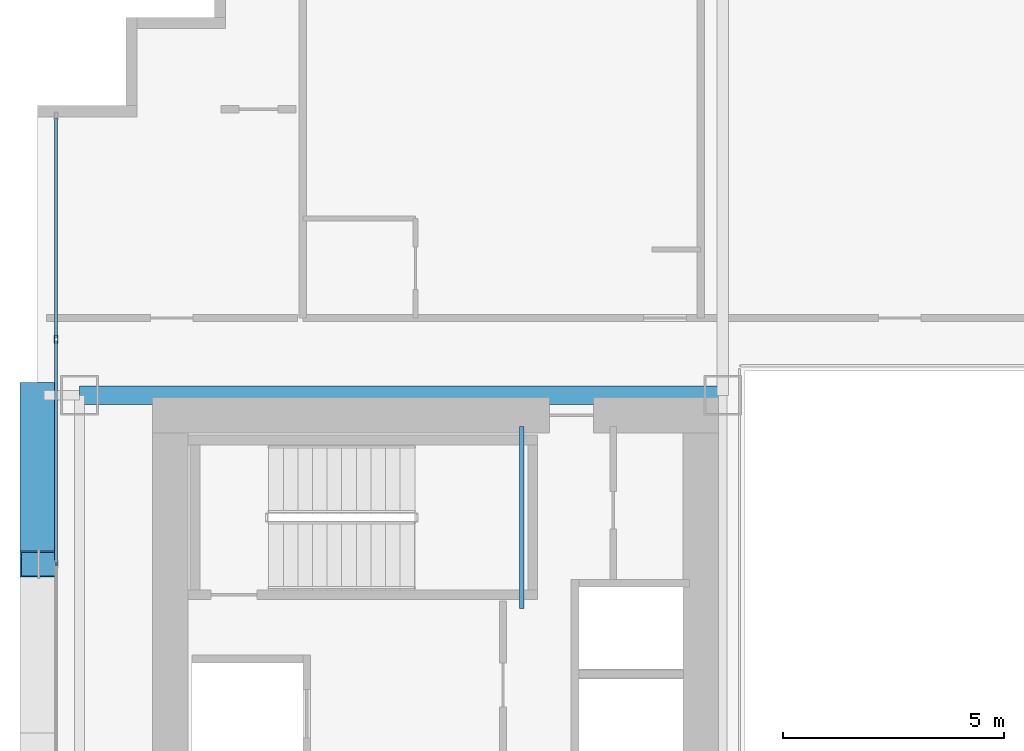
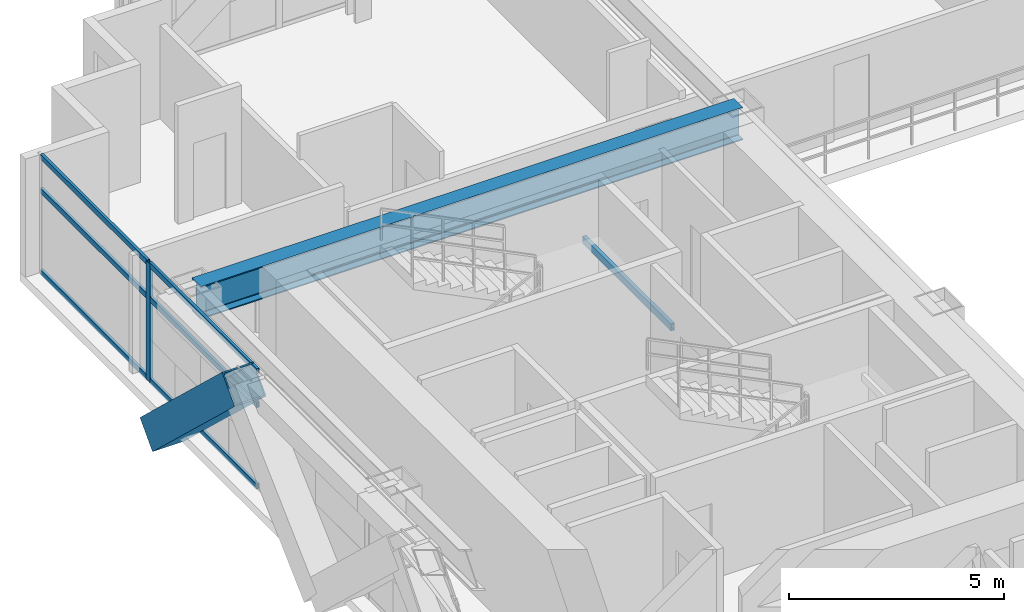
# One storey, part 16 of 35: 8 members, 2 beams, 1 element without a shape of its own.
"""IFC4 building model written with IfcOpenShell, lengths in metres."""

from ifc_helpers import new_model, si_unit, direction, frame, origin, origin_2d, place, context, subcontext, project, spatial, hollow_rectangle, i_section, extrude, source, transform, mapped, material, layer, layer_set, material_profile, profile_set, type_object, element, aggregate, save


model = new_model("IFC4")

# Units and contexts
model_context = context("Model", 3, precision=1e-05, world=origin(), true_north=direction((0.0, 1.0)))
body_context = subcontext(model_context, "Body", "Model", "MODEL_VIEW")
ifc_project = project(units=[si_unit("LENGTHUNIT", "METRE"), si_unit("AREAUNIT", "SQUARE_METRE"), si_unit("VOLUMEUNIT", "CUBIC_METRE"), si_unit("PLANEANGLEUNIT", "RADIAN"), si_unit("MASSUNIT", "GRAM", prefix="KILO")], contexts=[model_context])

# Site, building, storey
site_placement = place(None, origin())
site = spatial("IfcSite", under=ifc_project, at=site_placement, CompositionType="ELEMENT")
building_placement = place(site_placement, origin())
building = spatial("IfcBuilding", under=site, at=building_placement, Name="Ocotamira Hotel", CompositionType="ELEMENT")
storey_placement = place(building_placement, frame((0.0, 0.0, 78.0)))
storey = spatial("IfcBuildingStorey", under=building, at=storey_placement, Name="L19", CompositionType="ELEMENT", Elevation=78.0)

# Beams
ifc_material_1 = material(Name="Steel ASTM A500 Grade C", Category="steel")
ifc_material_profile_1 = material_profile(ifc_material_1, hollow_rectangle(XDim=0.10009765625, YDim=0.199951171875, WallThickness=0.008056640625, at=origin_2d()), Name="HSS200X100X8")
ifc_profile_set_1 = profile_set([ifc_material_profile_1], Name="Steel ASTM A500 Grade C")
beam_type_1 = type_object("IfcBeamType", Name="BM-STLDG-HSS200", PredefinedType="BEAM", material=ifc_profile_set_1)
shared_shape_1 = source(origin(), body_context, "Body", "SweptSolid", [
    extrude(hollow_rectangle(XDim=0.10009765625, YDim=0.199951171875, WallThickness=0.008056640625, at=origin_2d()), origin(), (0.0, 0.0, 1.0), 4.1201171875),
])
beam_1_placement = place(storey_placement, frame((18.949951171875, 32.6298828125, 1.5), z_axis=(0.0, 1.0, 0.0), x_axis=(-1.0, 0.0, 0.0)))
element("IfcBeam", 1, at=beam_1_placement, inside=storey, type_object=beam_type_1, Name="L19 Stair ST-2 Landing Bearer 1", PredefinedType="BEAM", context=body_context, shape_type="MappedRepresentation", body=[
    mapped(shared_shape_1, transform((0.0, 0.0, 0.0), scale=1.0)),
])
ifc_material_2 = material(Name="Steel ASTM A992 Grade 50", Category="steel")
ifc_material_profile_2 = material_profile(ifc_material_2, i_section(OverallWidth=0.41796875, OverallDepth=0.927001953125, WebThickness=0.019287109375, FlangeThickness=0.031982421875, FilletRadius=0.02392578125, at=origin_2d()), Name="W36X231")
ifc_profile_set_2 = profile_set([ifc_material_profile_2], Name="Steel ASTM A992 Grade 50")
beam_type_2 = type_object("IfcBeamType", Name="BM-GIRD-W36X231", PredefinedType="BEAM", material=ifc_profile_set_2)
shared_shape_2 = source(origin(), body_context, "Body", "SweptSolid", [
    extrude(i_section(OverallWidth=0.41796875, OverallDepth=0.927001953125, WebThickness=0.019287109375, FlangeThickness=0.031982421875, FilletRadius=0.02392578125, at=origin_2d()), origin(), (0.0, 0.0, 1.0), 14.550048828125),
])
beam_2_placement = place(storey_placement, frame((8.949951171875, 37.449951171875, 2.886474609375), z_axis=(1.0, 0.0, 0.0), x_axis=(0.0, 1.0, 0.0)))
element("IfcBeam", 2, at=beam_2_placement, inside=storey, type_object=beam_type_2, Name="L19 Girder Y37.45 X8.95-23.5", PredefinedType="BEAM", context=body_context, shape_type="MappedRepresentation", body=[
    mapped(shared_shape_2, transform((0.0, 0.0, 0.0), scale=1.0)),
])

# Member
ifc_material_3 = material(Name="Pale-metal coated steel ASTM A913 Grade 65", Category="steel")
ifc_material_profile_3 = material_profile(ifc_material_3, hollow_rectangle(XDim=0.85009765625, YDim=0.85009765625, WallThickness=0.035888671875, at=origin_2d()), Name="BOX850X850X36")
ifc_profile_set_3 = profile_set([ifc_material_profile_3], Name="Pale-metal coated steel ASTM A913 Grade 65")
member_type_1 = type_object("IfcMemberType", Name="MEM-EXO-BOX850", PredefinedType="BRACE", material=ifc_profile_set_3)
shared_shape_3 = source(origin(), body_context, "Body", "SweptSolid", [
    extrude(hollow_rectangle(XDim=0.85009765625, YDim=0.85009765625, WallThickness=0.035888671875, at=origin_2d()), origin(), (0.0, 0.0, 1.0), 5.24658203125),
])
member_1_placement = place(storey_placement, frame((8.030029296875, 37.449951171875, -0.5), z_axis=(0.0, -0.727442733726, 0.686168397078), x_axis=(1.0, 0.0, 0.0)))
element("IfcMember", 3, at=member_1_placement, inside=storey, type_object=member_type_1, Name="L19 Exoskeleton Diagrid W2.2", PredefinedType="BRACE", context=body_context, shape_type="MappedRepresentation", body=[
    mapped(shared_shape_3, transform((0.0, 0.0, 0.0), scale=1.0)),
])

# Curtain wall, members
ifc_material_4 = material(Name="Anodised pale-metal aluminium and solar glass", Category="aluminium")
ifc_layer = layer(ifc_material_4, 0.179931640625)
ifc_layer_set = layer_set([ifc_layer], Name="Anodised pale-metal aluminium and solar glass")
curtain_wall_type = type_object("IfcCurtainWallType", Name="CW-SYS2-Z1", PredefinedType="NOTDEFINED", material=ifc_layer_set)
curtain_wall_placement = place(storey_placement, origin())
curtain_wall = element("IfcCurtainWall", 4, at=curtain_wall_placement, inside=storey, type_object=curtain_wall_type, Name="L19 Curtain Wall CW-2 CW-L19-W", PredefinedType="NOTDEFINED")
ifc_material_5 = material(Name="Anodised pale-metal aluminium 6063-T6", Category="aluminium")
ifc_material_profile_4 = material_profile(ifc_material_5, hollow_rectangle(XDim=0.074951171875, YDim=0.14990234375, WallThickness=0.006103515625, at=origin_2d()), Name="HSS150X75X6")
ifc_profile_set_4 = profile_set([ifc_material_profile_4], Name="Anodised pale-metal aluminium 6063-T6")
member_type_2 = type_object("IfcMemberType", Name="CWT-150X75", PredefinedType="USERDEFINED", material=ifc_profile_set_4)
shared_shape_4 = source(origin(), body_context, "Body", "SweptSolid", [
    extrude(hollow_rectangle(XDim=0.074951171875, YDim=0.14990234375, WallThickness=0.006103515625, at=origin_2d()), origin(), (0.0, 0.0, 1.0), 4.965576171875),
])
member_2_placement = place(storey_placement, frame((8.419921875, 38.75439453125, 0.03759765625), z_axis=(0.0, 1.0, 0.0), x_axis=(-1.0, 0.0, 0.0)))
member_2 = element("IfcMember", 5, at=member_2_placement, type_object=member_type_2, Name="CW-2 transom 7.1", ObjectType="TRANSOM", PredefinedType="USERDEFINED", context=body_context, shape_type="MappedRepresentation", body=[
    mapped(shared_shape_4, transform((0.0, 0.0, 0.0), scale=1.0)),
])
member_3_placement = place(storey_placement, frame((8.419921875, 38.75439453125, 2.35009765625), z_axis=(0.0, 1.0, 0.0), x_axis=(-1.0, 0.0, 0.0)))
member_3 = element("IfcMember", 6, at=member_3_placement, type_object=member_type_2, Name="CW-2 transom 7.2", ObjectType="TRANSOM", PredefinedType="USERDEFINED", context=body_context, shape_type="MappedRepresentation", body=[
    mapped(shared_shape_4, transform((0.0, 0.0, 0.0), scale=1.0)),
])
member_4_placement = place(storey_placement, frame((8.419921875, 38.75439453125, 3.3125), z_axis=(0.0, 1.0, 0.0), x_axis=(-1.0, 0.0, 0.0)))
member_4 = element("IfcMember", 7, at=member_4_placement, type_object=member_type_2, Name="CW-2 transom 7.3", ObjectType="TRANSOM", PredefinedType="USERDEFINED", context=body_context, shape_type="MappedRepresentation", body=[
    mapped(shared_shape_4, transform((0.0, 0.0, 0.0), scale=1.0)),
])
shared_shape_5 = source(origin(), body_context, "Body", "SweptSolid", [
    extrude(hollow_rectangle(XDim=0.074951171875, YDim=0.14990234375, WallThickness=0.006103515625, at=origin_2d()), origin(), (0.0, 0.0, 1.0), 5.005859375),
])
member_5_placement = place(storey_placement, frame((8.419921875, 33.66845703125, 0.03759765625), z_axis=(0.0, 1.0, 0.0), x_axis=(-1.0, 0.0, 0.0)))
member_5 = element("IfcMember", 8, at=member_5_placement, type_object=member_type_2, Name="CW-2 transom 6.1", ObjectType="TRANSOM", PredefinedType="USERDEFINED", context=body_context, shape_type="MappedRepresentation", body=[
    mapped(shared_shape_5, transform((0.0, 0.0, 0.0), scale=1.0)),
])
member_6_placement = place(storey_placement, frame((8.419921875, 33.66845703125, 2.35009765625), z_axis=(0.0, 1.0, 0.0), x_axis=(-1.0, 0.0, 0.0)))
member_6 = element("IfcMember", 9, at=member_6_placement, type_object=member_type_2, Name="CW-2 transom 6.2", ObjectType="TRANSOM", PredefinedType="USERDEFINED", context=body_context, shape_type="MappedRepresentation", body=[
    mapped(shared_shape_5, transform((0.0, 0.0, 0.0), scale=1.0)),
])
member_7_placement = place(storey_placement, frame((8.419921875, 33.66845703125, 3.3125), z_axis=(0.0, 1.0, 0.0), x_axis=(-1.0, 0.0, 0.0)))
member_7 = element("IfcMember", 10, at=member_7_placement, type_object=member_type_2, Name="CW-2 transom 6.3", ObjectType="TRANSOM", PredefinedType="USERDEFINED", context=body_context, shape_type="MappedRepresentation", body=[
    mapped(shared_shape_5, transform((0.0, 0.0, 0.0), scale=1.0)),
])
ifc_material_profile_5 = material_profile(ifc_material_5, hollow_rectangle(XDim=0.080078125, YDim=0.179931640625, WallThickness=0.006103515625, at=origin_2d()), Name="HSS180X80X6")
ifc_profile_set_5 = profile_set([ifc_material_profile_5], Name="Anodised pale-metal aluminium 6063-T6")
member_type_3 = type_object("IfcMemberType", Name="CWM-180X75", PredefinedType="MULLION", material=ifc_profile_set_5)
shared_shape_6 = source(origin(), body_context, "Body", "SweptSolid", [
    extrude(hollow_rectangle(XDim=0.080078125, YDim=0.179931640625, WallThickness=0.006103515625, at=origin_2d()), origin(), (0.0, 0.0, 1.0), 3.35009765625),
])
member_8_placement = place(storey_placement, frame((8.419921875, 38.71435546875, 0.0), z_axis=(0.0, 0.0, 1.0), x_axis=(-1.0, 0.0, 0.0)))
member_8 = element("IfcMember", 11, at=member_8_placement, type_object=member_type_3, Name="CW-2 mullion 7", PredefinedType="MULLION", context=body_context, shape_type="MappedRepresentation", body=[
    mapped(shared_shape_6, transform((0.0, 0.0, 0.0), scale=1.0)),
])
aggregate(curtain_wall, [member_8, member_5, member_6, member_7, member_2, member_3, member_4])

save(model, "model.ifc")
